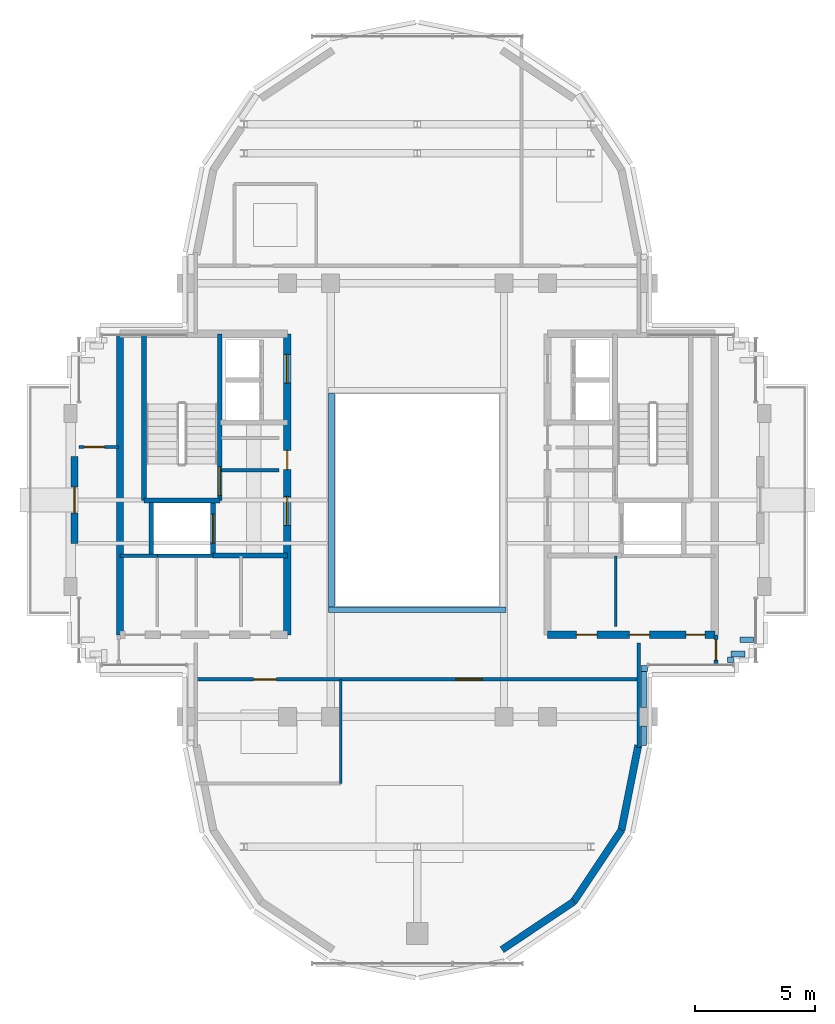
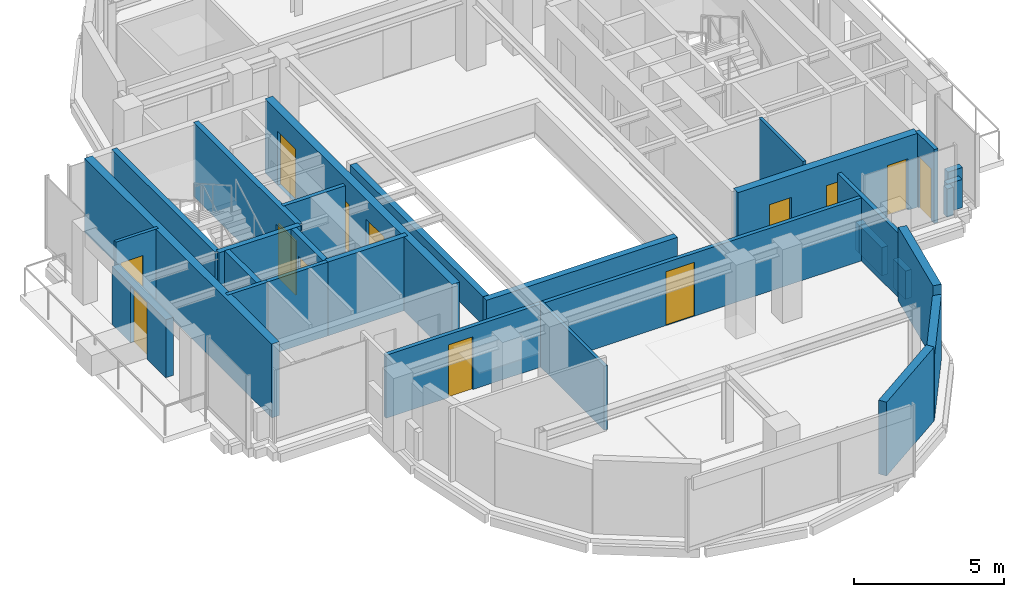
# One storey, part 7 of 12: 30 walls, 13 doors, 13 openings.
"""IFC4 building model written with IfcOpenShell, lengths in metres."""

from ifc_helpers import new_model, si_unit, direction, frame, frame_2d, origin, place, context, subcontext, project, spatial, rectangle, extrude, source, transform, mapped, material, layer, layer_set, type_object, element, fill, save


model = new_model("IFC4")

# Units and contexts
model_context = context("Model", 3, precision=1e-05, world=origin(), true_north=direction((0.0, 1.0)))
body_context = subcontext(model_context, "Body", "Model", "MODEL_VIEW")
ifc_project = project(units=[si_unit("LENGTHUNIT", "METRE"), si_unit("AREAUNIT", "SQUARE_METRE"), si_unit("VOLUMEUNIT", "CUBIC_METRE"), si_unit("PLANEANGLEUNIT", "RADIAN"), si_unit("MASSUNIT", "GRAM", prefix="KILO")], contexts=[model_context])

# Site, building, storey
site_placement = place(None, origin())
site = spatial("IfcSite", under=ifc_project, at=site_placement, CompositionType="ELEMENT")
building_placement = place(site_placement, origin())
building = spatial("IfcBuilding", under=site, at=building_placement, Name="Keilestroom Media Tower", CompositionType="ELEMENT")
storey_placement = place(building_placement, frame((0.0, 0.0, 258.800048828125)))
storey = spatial("IfcBuildingStorey", under=building, at=storey_placement, Name="L72", CompositionType="ELEMENT", Elevation=258.800048828125)

# Walls
ifc_material_1 = material(Name="Precast concrete C40/50", Category="concrete")
ifc_layer_1 = layer(ifc_material_1, 0.300048828125)
ifc_layer_set_1 = layer_set([ifc_layer_1], Name="Precast concrete C40/50")
wall_type_1 = type_object("IfcWallType", Name="Exterior-Masonry-Spandrel-Wall-300", PredefinedType="SOLIDWALL", material=ifc_layer_set_1)
wall_1_placement = place(storey_placement, frame((3.510009765625, -18.673583984375, 0.0), z_axis=(0.0, 0.0, 1.0), x_axis=(0.831443568068, 0.555609208993, 0.0)))
element("IfcWall", 1, at=wall_1_placement, inside=storey, type_object=wall_type_1, Name="L72 Lobe Facet Precast Frame Wall 10", PredefinedType="SOLIDWALL", context=body_context, shape_type="SweptSolid", body=[
    extrude(rectangle(XDim=3.593505859375, YDim=0.300048828125, at=frame_2d((1.796875, 0.0))), origin(), (0.0, 0.0, 1.0), 3.010009765625),
])
wall_2_placement = place(storey_placement, frame((6.47705078125, -16.697998046875, 0.0), z_axis=(0.0, 0.0, 1.0), x_axis=(0.555574187116, 0.831466970246, 0.0)))
element("IfcWall", 2, at=wall_2_placement, inside=storey, type_object=wall_type_1, Name="L72 Lobe Facet Precast Frame Wall 11", PredefinedType="SOLIDWALL", context=body_context, shape_type="SweptSolid", body=[
    extrude(rectangle(XDim=3.608642578125, YDim=0.300048828125, at=frame_2d((1.80419921875, 0.0))), origin(), (0.0, 0.0, 1.0), 2.60986328125),
])
wall_3_placement = place(storey_placement, frame((8.470703125, -13.724609375, 0.0), z_axis=(0.0, 0.0, 1.0), x_axis=(0.195114232679, 0.980780523974, 0.0)))
element("IfcWall", 3, at=wall_3_placement, inside=storey, type_object=wall_type_1, Name="L72 Lobe Facet Precast Frame Wall 12", PredefinedType="SOLIDWALL", context=body_context, shape_type="SweptSolid", body=[
    extrude(rectangle(XDim=3.608642578125, YDim=0.300048828125, at=frame_2d((1.80419921875, 0.0))), origin(), (0.0, 0.0, 1.0), 3.010009765625),
])

# Wall, opening, door
wall_4_placement = place(storey_placement, frame((-14.239990234375, -1.800048828125, 0.0), z_axis=(0.0, 0.0, 1.0), x_axis=(0.0, 1.0, 0.0)))
wall_4 = element("IfcWall", 4, at=wall_4_placement, inside=storey, type_object=wall_type_1, Name="L72 Terrace Threshold Wall CUP72-W", PredefinedType="SOLIDWALL", context=body_context, shape_type="SweptSolid", body=[
    extrude(rectangle(XDim=3.60009765625, YDim=0.300048828125, at=frame_2d((1.800048828125, 0.0))), origin(), (0.0, 0.0, 1.0), 2.35986328125),
])
opening_1_placement = place(wall_4_placement, frame((1.25, 0.0, 0.0)))
opening_1 = element("IfcOpeningElement", 5, at=opening_1_placement, cuts=wall_4, Name="Opening DE-02", PredefinedType="OPENING", context=body_context, shape_type="SweptSolid", body=[
    extrude(rectangle(XDim=1.10009765625, YDim=2.300048828125, at=frame_2d((0.550048828125, 1.14990234375))), frame((0.0, 0.16015625, 0.0), z_axis=(0.0, -1.0, 0.0), x_axis=(1.0, 0.0, 0.0)), (0.0, 0.0, 1.0), 0.320068359375),
])
ifc_material_2 = material(Name="Thermally Broken Aluminium & Laminated Glass", Category="aluminium")
door_type_1 = type_object("IfcDoorType", Name="Exterior-Entrance-And-Terrace-Door-DE-02", OperationType="NOTDEFINED", PredefinedType="DOOR", material=ifc_material_2)
shared_shape_1 = source(origin(), body_context, "Body", "SweptSolid", [
    extrude(rectangle(XDim=1.10009765625, YDim=2.300048828125, at=frame_2d((0.550048828125, 1.14990234375))), frame((0.0, 0.02490234375, 0.0), z_axis=(0.0, -1.0, 0.0), x_axis=(1.0, 0.0, 0.0)), (0.0, 0.0, 1.0), 0.050048828125),
])
door_1_placement = place(opening_1_placement, origin())
door_1 = element("IfcDoor", 6, at=door_1_placement, inside=storey, type_object=door_type_1, Name="L72 Terrace Access Door DE-02 CUP72-W", OperationType="SINGLE_SWING_LEFT", OverallHeight=2.300048828125, OverallWidth=1.10009765625, PredefinedType="DOOR", context=body_context, shape_type="MappedRepresentation", body=[
    mapped(shared_shape_1, transform((0.0, 0.0, 0.0), x_axis=(1.0, 0.0, 0.0), y_axis=(0.0, 1.0, 0.0), z_axis=(0.0, 0.0, 1.0), scale=1.0)),
])
fill(opening_1, door_1)

# Walls
ifc_material_3 = material(Name="Gypsum Plasterboard & Steel Stud", Category="steel")
ifc_layer_2 = layer(ifc_material_3, 0.1201171875)
ifc_layer_set_2 = layer_set([ifc_layer_2], Name="Gypsum Plasterboard & Steel Stud")
wall_type_2 = type_object("IfcWallType", Name="Interior-Partition-Wall-120", PredefinedType="PARTITIONING", material=ifc_layer_set_2)
wall_5_placement = place(storey_placement, frame((8.239990234375, -5.260009765625, 0.0), z_axis=(0.0, 0.0, 1.0), x_axis=(0.0, 1.0, 0.0)))
element("IfcWall", 7, at=wall_5_placement, inside=storey, type_object=wall_type_2, Name="L72 Interior Wall WP-L72-RECME-M", PredefinedType="PARTITIONING", context=body_context, shape_type="SweptSolid", body=[
    extrude(rectangle(XDim=2.93994140625, YDim=0.1201171875, at=frame_2d((1.469970703125, 0.0))), origin(), (0.0, 0.0, 1.0), 3.010009765625),
])
wall_6_placement = place(storey_placement, frame((-3.179931640625, -11.77001953125, 0.0), z_axis=(0.0, 0.0, 1.0), x_axis=(0.0, 1.0, 0.0)))
element("IfcWall", 8, at=wall_6_placement, inside=storey, type_object=wall_type_2, Name="L72 Interior Wall WP-L72-SL-VM", PredefinedType="PARTITIONING", context=body_context, shape_type="SweptSolid", body=[
    extrude(rectangle(XDim=4.320068359375, YDim=0.1201171875, at=frame_2d((2.16015625, 0.0))), origin(), (0.0, 0.0, 1.0), 2.60986328125),
])

# Wall, opening, door
wall_7_placement = place(storey_placement, frame((-14.0400390625, 2.199951171875, 0.0), z_axis=(0.0, 0.0, 1.0), x_axis=(1.0, 0.0, 0.0)))
wall_7 = element("IfcWall", 9, at=wall_7_placement, inside=storey, type_object=wall_type_2, Name="L72 Interior Wall WP-L72-WA-CUPM", PredefinedType="PARTITIONING", context=body_context, shape_type="SweptSolid", body=[
    extrude(rectangle(XDim=1.64013671875, YDim=0.1201171875, at=frame_2d((0.820068359375, 0.0))), origin(), (0.0, 0.0, 1.0), 3.010009765625),
])
opening_2_placement = place(wall_7_placement, frame((0.199951171875, 0.0, 0.0)))
opening_2 = element("IfcOpeningElement", 10, at=opening_2_placement, cuts=wall_7, Name="Opening DI-05", PredefinedType="OPENING", context=body_context, shape_type="SweptSolid", body=[
    extrude(rectangle(XDim=0.85009765625, YDim=2.10009765625, at=frame_2d((0.425048828125, 1.050048828125))), frame((0.0, 0.070068359375, 0.0), z_axis=(0.0, -1.0, 0.0), x_axis=(1.0, 0.0, 0.0)), (0.0, 0.0, 1.0), 0.14013671875),
])
ifc_material_4 = material(Name="Moisture-Resistant Oak Leaf", Category="wood")
door_type_2 = type_object("IfcDoorType", Name="Interior-En-Suite-And-Cupboard-Door-DI-05", OperationType="NOTDEFINED", PredefinedType="DOOR", material=ifc_material_4)
shared_shape_2 = source(origin(), body_context, "Body", "SweptSolid", [
    extrude(rectangle(XDim=0.85009765625, YDim=2.10009765625, at=frame_2d((0.425048828125, 1.050048828125))), frame((0.0, 0.02490234375, 0.0), z_axis=(0.0, -1.0, 0.0), x_axis=(1.0, 0.0, 0.0)), (0.0, 0.0, 1.0), 0.050048828125),
])
door_2_placement = place(opening_2_placement, origin())
door_2 = element("IfcDoor", 11, at=door_2_placement, inside=storey, type_object=door_type_2, Name="L72 Interior Door DI-L72-DWA-CUPN", OperationType="SINGLE_SWING_LEFT", OverallHeight=2.10009765625, OverallWidth=0.85009765625, PredefinedType="DOOR", context=body_context, shape_type="MappedRepresentation", body=[
    mapped(shared_shape_2, transform((0.0, 0.0, 0.0), x_axis=(1.0, 0.0, 0.0), y_axis=(0.0, 1.0, 0.0), z_axis=(0.0, 0.0, 1.0), scale=1.0)),
])
fill(opening_2, door_2)

# Walls
ifc_layer_3 = layer(ifc_material_3, 0.14990234375)
ifc_layer_set_3 = layer_set([ifc_layer_3], Name="Gypsum Plasterboard & Steel Stud")
wall_type_3 = type_object("IfcWallType", Name="Interior-Partition-Wall-150", PredefinedType="PARTITIONING", material=ifc_layer_set_3)
wall_8_placement = place(storey_placement, frame((-8.139892578125, 1.239990234375, 0.0), z_axis=(0.0, 0.0, 1.0), x_axis=(1.0, 0.0, 0.0)))
element("IfcWall", 12, at=wall_8_placement, inside=storey, type_object=wall_type_3, Name="L72 Interior Wall WP-L72-FFW-TOP", PredefinedType="PARTITIONING", context=body_context, shape_type="SweptSolid", body=[
    extrude(rectangle(XDim=2.389892578125, YDim=0.14990234375, at=frame_2d((1.19482421875, 0.0))), origin(), (0.0, 0.0, 1.0), 3.010009765625),
])
wall_9_placement = place(storey_placement, frame((-12.35009765625, -2.320068359375, 0.0), z_axis=(0.0, 0.0, 1.0), x_axis=(1.0, 0.0, 0.0)))
element("IfcWall", 13, at=wall_9_placement, inside=storey, type_object=wall_type_3, Name="L72 Interior Wall WP-L72-RECLW-N", PredefinedType="PARTITIONING", context=body_context, shape_type="SweptSolid", body=[
    extrude(rectangle(XDim=1.550048828125, YDim=0.14990234375, at=frame_2d((0.77490234375, 0.0))), origin(), (0.0, 0.0, 1.0), 3.010009765625),
])
wall_10_placement = place(storey_placement, frame((-10.800048828125, -2.320068359375, 0.0), z_axis=(0.0, 0.0, 1.0), x_axis=(1.0, 0.0, 0.0)))
element("IfcWall", 14, at=wall_10_placement, inside=storey, type_object=wall_type_3, Name="L72 Interior Wall WP-L72-RECMW-N", PredefinedType="PARTITIONING", context=body_context, shape_type="SweptSolid", body=[
    extrude(rectangle(XDim=2.320068359375, YDim=0.14990234375, at=frame_2d((1.16015625, 0.0))), origin(), (0.0, 0.0, 1.0), 3.010009765625),
])

# Wall, openings, doors
wall_11_placement = place(storey_placement, frame((-9.199951171875, -7.449951171875, 0.0), z_axis=(0.0, 0.0, 1.0), x_axis=(1.0, 0.0, 0.0)))
wall_11 = element("IfcWall", 15, at=wall_11_placement, inside=storey, type_object=wall_type_3, Name="L72 Interior Wall WP-L72-SL-BASE", PredefinedType="PARTITIONING", context=body_context, shape_type="SweptSolid", body=[
    extrude(rectangle(XDim=18.39990234375, YDim=0.14990234375, at=frame_2d((9.199951171875, 0.0))), origin(), (0.0, 0.0, 1.0), 2.570068359375),
])
opening_3_placement = place(wall_11_placement, frame((2.39990234375, 0.0, 0.0)))
opening_3 = element("IfcOpeningElement", 16, at=opening_3_placement, cuts=wall_11, Name="Opening DI-03", PredefinedType="OPENING", context=body_context, shape_type="SweptSolid", body=[
    extrude(rectangle(XDim=0.949951171875, YDim=2.14990234375, at=frame_2d((0.47509765625, 1.074951171875))), frame((0.0, 0.0849609375, 0.0), z_axis=(0.0, -1.0, 0.0), x_axis=(1.0, 0.0, 0.0)), (0.0, 0.0, 1.0), 0.169921875),
])
opening_4_placement = place(wall_11_placement, frame((10.800048828125, 0.0, 0.0)))
opening_4 = element("IfcOpeningElement", 17, at=opening_4_placement, cuts=wall_11, Name="Opening DI-04", PredefinedType="OPENING", context=body_context, shape_type="SweptSolid", body=[
    extrude(rectangle(XDim=1.10009765625, YDim=2.199951171875, at=frame_2d((0.550048828125, 1.10009765625))), frame((0.0, 0.0849609375, 0.0), z_axis=(0.0, -1.0, 0.0), x_axis=(1.0, 0.0, 0.0)), (0.0, 0.0, 1.0), 0.169921875),
])
ifc_material_5 = material(Name="Lacquered European Oak Leaf", Category="wood")
door_type_3 = type_object("IfcDoorType", Name="Interior-Room-And-Suite-Door-DI-03", OperationType="NOTDEFINED", PredefinedType="DOOR", material=ifc_material_5)
shared_shape_3 = source(origin(), body_context, "Body", "SweptSolid", [
    extrude(rectangle(XDim=0.949951171875, YDim=2.14990234375, at=frame_2d((0.47509765625, 1.074951171875))), frame((0.0, 0.02490234375, 0.0), z_axis=(0.0, -1.0, 0.0), x_axis=(1.0, 0.0, 0.0)), (0.0, 0.0, 1.0), 0.050048828125),
])
door_3_placement = place(opening_3_placement, origin())
door_3 = element("IfcDoor", 18, at=door_3_placement, inside=storey, type_object=door_type_3, Name="L72 Interior Door DI-L72-DSL-FR", OperationType="SINGLE_SWING_RIGHT", OverallHeight=2.14990234375, OverallWidth=0.949951171875, PredefinedType="DOOR", context=body_context, shape_type="MappedRepresentation", body=[
    mapped(shared_shape_3, transform((0.0, 0.0, 0.0), x_axis=(1.0, 0.0, 0.0), y_axis=(0.0, 1.0, 0.0), z_axis=(0.0, 0.0, 1.0), scale=1.0)),
])
fill(opening_3, door_3)
ifc_material_6 = material(Name="Acoustic Glazed Aluminium Leaf", Category="aluminium")
door_type_4 = type_object("IfcDoorType", Name="Interior-Room-And-Suite-Door-DI-04", OperationType="NOTDEFINED", PredefinedType="DOOR", material=ifc_material_6)
shared_shape_4 = source(origin(), body_context, "Body", "SweptSolid", [
    extrude(rectangle(XDim=1.10009765625, YDim=2.199951171875, at=frame_2d((0.550048828125, 1.10009765625))), frame((0.0, 0.02490234375, 0.0), z_axis=(0.0, -1.0, 0.0), x_axis=(1.0, 0.0, 0.0)), (0.0, 0.0, 1.0), 0.050048828125),
])
door_4_placement = place(opening_4_placement, origin())
door_4 = element("IfcDoor", 19, at=door_4_placement, inside=storey, type_object=door_type_4, Name="L72 Interior Door DI-L72-DSL-RR", OperationType="SINGLE_SWING_LEFT", OverallHeight=2.199951171875, OverallWidth=1.10009765625, PredefinedType="DOOR", context=body_context, shape_type="MappedRepresentation", body=[
    mapped(shared_shape_4, transform((0.0, 0.0, 0.0), x_axis=(1.0, 0.0, 0.0), y_axis=(0.0, 1.0, 0.0), z_axis=(0.0, 0.0, 1.0), scale=1.0)),
])
fill(opening_4, door_4)

# Wall
wall_12_placement = place(storey_placement, frame((9.199951171875, -10.280029296875, 0.0), z_axis=(0.0, 0.0, 1.0), x_axis=(0.0, 1.0, 0.0)))
element("IfcWall", 20, at=wall_12_placement, inside=storey, type_object=wall_type_3, Name="L72 Interior Wall WP-L72-SL-CHKE", PredefinedType="PARTITIONING", context=body_context, shape_type="SweptSolid", body=[
    extrude(rectangle(XDim=4.340087890625, YDim=0.14990234375, at=frame_2d((2.169921875, 0.0))), origin(), (0.0, 0.0, 1.0), 2.60986328125),
])

# Wall, opening, door
wall_13_placement = place(storey_placement, frame((12.39990234375, -6.85009765625, 0.0), z_axis=(0.0, 0.0, 1.0), x_axis=(0.0, 1.0, 0.0)))
wall_13 = element("IfcWall", 21, at=wall_13_placement, inside=storey, type_object=wall_type_3, Name="L72 Interior Wall WP-L72-EA-ENTS", PredefinedType="PARTITIONING", context=body_context, shape_type="SweptSolid", body=[
    extrude(rectangle(XDim=1.25, YDim=0.14990234375, at=frame_2d((0.625, 0.0))), origin(), (0.0, 0.0, 1.0), 3.010009765625),
])
opening_5_placement = place(wall_13_placement, frame((0.199951171875, 0.0, 0.0)))
opening_5 = element("IfcOpeningElement", 22, at=opening_5_placement, cuts=wall_13, Name="Opening DI-05", PredefinedType="OPENING", context=body_context, shape_type="SweptSolid", body=[
    extrude(rectangle(XDim=0.85009765625, YDim=2.10009765625, at=frame_2d((0.425048828125, 1.050048828125))), frame((0.0, 0.0849609375, 0.0), z_axis=(0.0, -1.0, 0.0), x_axis=(1.0, 0.0, 0.0)), (0.0, 0.0, 1.0), 0.169921875),
])
door_5_placement = place(opening_5_placement, origin())
door_5 = element("IfcDoor", 23, at=door_5_placement, inside=storey, type_object=door_type_2, Name="L72 Interior Door DI-L72-DEA-CUP", OperationType="SINGLE_SWING_RIGHT", OverallHeight=2.10009765625, OverallWidth=0.85009765625, PredefinedType="DOOR", context=body_context, shape_type="MappedRepresentation", body=[
    mapped(shared_shape_2, transform((0.0, 0.0, 0.0), x_axis=(1.0, 0.0, 0.0), y_axis=(0.0, 1.0, 0.0), z_axis=(0.0, 0.0, 1.0), scale=1.0)),
])
fill(opening_5, door_5)

# Wall
ifc_material_7 = material(Name="Concrete C50/60", Category="concrete")
ifc_layer_4 = layer(ifc_material_7, 0.300048828125)
ifc_layer_set_4 = layer_set([ifc_layer_4], Name="Concrete C50/60")
wall_type_4 = type_object("IfcWallType", Name="Reinforced-Concrete-Core-Shear-Wall-300", PredefinedType="SHEAR", material=ifc_layer_set_4)
wall_14_placement = place(storey_placement, frame((-12.35009765625, -5.60009765625, 0.0), z_axis=(0.0, 0.0, 1.0), x_axis=(0.0, 1.0, 0.0)))
element("IfcWall", 24, at=wall_14_placement, inside=storey, type_object=wall_type_4, Name="L72 Core Shear Wall WL-L72-CORE-W-OUT", PredefinedType="SHEAR", context=body_context, shape_type="SweptSolid", body=[
    extrude(rectangle(XDim=12.5, YDim=0.300048828125, at=frame_2d((6.25, 0.0))), origin(), (0.0, 0.0, 1.0), 3.010009765625),
])

# Wall, openings, doors
wall_15_placement = place(storey_placement, frame((-5.39990234375, -5.60009765625, 0.0), z_axis=(0.0, 0.0, 1.0), x_axis=(0.0, 1.0, 0.0)))
wall_15 = element("IfcWall", 25, at=wall_15_placement, inside=storey, type_object=wall_type_4, Name="L72 Core Shear Wall WL-L72-CORE-W-IN", PredefinedType="SHEAR", context=body_context, shape_type="SweptSolid", body=[
    extrude(rectangle(XDim=12.5, YDim=0.300048828125, at=frame_2d((6.25, 0.0))), origin(), (0.0, 0.0, 1.0), 3.010009765625),
])
opening_6_placement = place(wall_15_placement, frame((4.550048828125, 0.0, 0.0)))
opening_6 = element("IfcOpeningElement", 26, at=opening_6_placement, cuts=wall_15, Name="Opening DI-02", PredefinedType="OPENING", context=body_context, shape_type="SweptSolid", body=[
    extrude(rectangle(XDim=1.199951171875, YDim=2.199951171875, at=frame_2d((0.60009765625, 1.10009765625))), frame((0.0, 0.16015625, 0.0), z_axis=(0.0, -1.0, 0.0), x_axis=(1.0, 0.0, 0.0)), (0.0, 0.0, 1.0), 0.320068359375),
])
opening_7_placement = place(wall_15_placement, frame((10.449951171875, 0.0, 0.0)))
opening_7 = element("IfcOpeningElement", 27, at=opening_7_placement, cuts=wall_15, Name="Opening DI-02", PredefinedType="OPENING", context=body_context, shape_type="SweptSolid", body=[
    extrude(rectangle(XDim=1.199951171875, YDim=2.199951171875, at=frame_2d((0.60009765625, 1.10009765625))), frame((0.0, 0.16015625, 0.0), z_axis=(0.0, -1.0, 0.0), x_axis=(1.0, 0.0, 0.0)), (0.0, 0.0, 1.0), 0.320068359375),
])
opening_8_placement = place(wall_15_placement, frame((6.860107421875, 0.0, 0.0)))
opening_8 = element("IfcOpeningElement", 28, at=opening_8_placement, cuts=wall_15, Name="Opening DI-06", PredefinedType="OPENING", context=body_context, shape_type="SweptSolid", body=[
    extrude(rectangle(XDim=0.800048828125, YDim=2.10009765625, at=frame_2d((0.39990234375, 1.050048828125))), frame((0.0, 0.16015625, 0.0), z_axis=(0.0, -1.0, 0.0), x_axis=(1.0, 0.0, 0.0)), (0.0, 0.0, 1.0), 0.320068359375),
])
ifc_material_8 = material(Name="Powder-Coated Steel Fire Leaf", Category="steel")
door_type_5 = type_object("IfcDoorType", Name="Interior-Compartment-Fire-Door-DI-02", OperationType="NOTDEFINED", PredefinedType="DOOR", material=ifc_material_8)
shared_shape_5 = source(origin(), body_context, "Body", "SweptSolid", [
    extrude(rectangle(XDim=1.199951171875, YDim=2.199951171875, at=frame_2d((0.60009765625, 1.10009765625))), frame((0.0, 0.02490234375, 0.0), z_axis=(0.0, -1.0, 0.0), x_axis=(1.0, 0.0, 0.0)), (0.0, 0.0, 1.0), 0.050048828125),
])
door_6_placement = place(opening_6_placement, origin())
door_6 = element("IfcDoor", 29, at=door_6_placement, inside=storey, type_object=door_type_5, Name="L72 W Firefighting Lobby Door", OperationType="SINGLE_SWING_RIGHT", OverallHeight=2.199951171875, OverallWidth=1.199951171875, PredefinedType="DOOR", context=body_context, shape_type="MappedRepresentation", body=[
    mapped(shared_shape_5, transform((0.0, 0.0, 0.0), x_axis=(1.0, 0.0, 0.0), y_axis=(0.0, 1.0, 0.0), z_axis=(0.0, 0.0, 1.0), scale=1.0)),
])
fill(opening_6, door_6)
door_7_placement = place(opening_7_placement, origin())
door_7 = element("IfcDoor", 30, at=door_7_placement, inside=storey, type_object=door_type_5, Name="L72 W High-Rise Lift Lobby Door", OperationType="SINGLE_SWING_LEFT", OverallHeight=2.199951171875, OverallWidth=1.199951171875, PredefinedType="DOOR", context=body_context, shape_type="MappedRepresentation", body=[
    mapped(shared_shape_5, transform((0.0, 0.0, 0.0), x_axis=(1.0, 0.0, 0.0), y_axis=(0.0, 1.0, 0.0), z_axis=(0.0, 0.0, 1.0), scale=1.0)),
])
fill(opening_7, door_7)
ifc_material_9 = material(Name="Powder-Coated Steel Service Leaf", Category="steel")
door_type_6 = type_object("IfcDoorType", Name="Interior-Riser-Access-Door-DI-06", OperationType="NOTDEFINED", PredefinedType="DOOR", material=ifc_material_9)
shared_shape_6 = source(origin(), body_context, "Body", "SweptSolid", [
    extrude(rectangle(XDim=0.800048828125, YDim=2.10009765625, at=frame_2d((0.39990234375, 1.050048828125))), frame((0.0, 0.02490234375, 0.0), z_axis=(0.0, -1.0, 0.0), x_axis=(1.0, 0.0, 0.0)), (0.0, 0.0, 1.0), 0.050048828125),
])
door_8_placement = place(opening_8_placement, origin())
door_8 = element("IfcDoor", 31, at=door_8_placement, inside=storey, type_object=door_type_6, Name="L72 West Core Switchroom Door", OperationType="SINGLE_SWING_LEFT", OverallHeight=2.10009765625, OverallWidth=0.800048828125, PredefinedType="DOOR", context=body_context, shape_type="MappedRepresentation", body=[
    mapped(shared_shape_6, transform((0.0, 0.0, 0.0), x_axis=(1.0, 0.0, 0.0), y_axis=(0.0, 1.0, 0.0), z_axis=(0.0, 0.0, 1.0), scale=1.0)),
])
fill(opening_8, door_8)

wall_16_placement = place(storey_placement, frame((5.39990234375, -5.60009765625, 0.0), z_axis=(0.0, 0.0, 1.0), x_axis=(1.0, 0.0, 0.0)))
wall_16 = element("IfcWall", 32, at=wall_16_placement, inside=storey, type_object=wall_type_4, Name="L72 Core Shear Wall WL-L72-CORE-E-S", PredefinedType="SHEAR", context=body_context, shape_type="SweptSolid", body=[
    extrude(rectangle(XDim=6.9501953125, YDim=0.300048828125, at=frame_2d((3.47509765625, 0.0))), origin(), (0.0, 0.0, 1.0), 3.010009765625),
])
opening_9_placement = place(wall_16_placement, frame((5.75, 0.0, 0.0)))
opening_9 = element("IfcOpeningElement", 33, at=opening_9_placement, cuts=wall_16, Name="Opening DI-06", PredefinedType="OPENING", context=body_context, shape_type="SweptSolid", body=[
    extrude(rectangle(XDim=0.800048828125, YDim=2.10009765625, at=frame_2d((0.39990234375, 1.050048828125))), frame((0.0, 0.16015625, 0.0), z_axis=(0.0, -1.0, 0.0), x_axis=(1.0, 0.0, 0.0)), (0.0, 0.0, 1.0), 0.320068359375),
])
opening_10_placement = place(wall_16_placement, frame((1.199951171875, 0.0, 0.0)))
opening_10 = element("IfcOpeningElement", 34, at=opening_10_placement, cuts=wall_16, Name="Opening DI-05", PredefinedType="OPENING", context=body_context, shape_type="SweptSolid", body=[
    extrude(rectangle(XDim=0.85009765625, YDim=2.10009765625, at=frame_2d((0.425048828125, 1.050048828125))), frame((0.0, 0.16015625, 0.0), z_axis=(0.0, -1.0, 0.0), x_axis=(1.0, 0.0, 0.0)), (0.0, 0.0, 1.0), 0.320068359375),
])
opening_11_placement = place(wall_16_placement, frame((3.39990234375, 0.0, 0.0)))
opening_11 = element("IfcOpeningElement", 35, at=opening_11_placement, cuts=wall_16, Name="Opening DI-05", PredefinedType="OPENING", context=body_context, shape_type="SweptSolid", body=[
    extrude(rectangle(XDim=0.85009765625, YDim=2.10009765625, at=frame_2d((0.425048828125, 1.050048828125))), frame((0.0, 0.16015625, 0.0), z_axis=(0.0, -1.0, 0.0), x_axis=(1.0, 0.0, 0.0)), (0.0, 0.0, 1.0), 0.320068359375),
])
door_9_placement = place(opening_9_placement, origin())
door_9 = element("IfcDoor", 36, at=door_9_placement, inside=storey, type_object=door_type_6, Name="L72 Reclaimed East Core Room Door", OperationType="SINGLE_SWING_RIGHT", OverallHeight=2.10009765625, OverallWidth=0.800048828125, PredefinedType="DOOR", context=body_context, shape_type="MappedRepresentation", body=[
    mapped(shared_shape_6, transform((0.0, 0.0, 0.0), x_axis=(1.0, 0.0, 0.0), y_axis=(0.0, 1.0, 0.0), z_axis=(0.0, 0.0, 1.0), scale=1.0)),
])
fill(opening_9, door_9)
door_10_placement = place(opening_10_placement, origin())
door_10 = element("IfcDoor", 37, at=door_10_placement, inside=storey, type_object=door_type_2, Name="L72 Reclaimed Mid East Room 1 Door", OperationType="SINGLE_SWING_RIGHT", OverallHeight=2.10009765625, OverallWidth=0.85009765625, PredefinedType="DOOR", context=body_context, shape_type="MappedRepresentation", body=[
    mapped(shared_shape_2, transform((0.0, 0.0, 0.0), x_axis=(1.0, 0.0, 0.0), y_axis=(0.0, 1.0, 0.0), z_axis=(0.0, 0.0, 1.0), scale=1.0)),
])
fill(opening_10, door_10)
door_11_placement = place(opening_11_placement, origin())
door_11 = element("IfcDoor", 38, at=door_11_placement, inside=storey, type_object=door_type_2, Name="L72 Reclaimed Mid East Room 2 Door", OperationType="SINGLE_SWING_RIGHT", OverallHeight=2.10009765625, OverallWidth=0.85009765625, PredefinedType="DOOR", context=body_context, shape_type="MappedRepresentation", body=[
    mapped(shared_shape_2, transform((0.0, 0.0, 0.0), x_axis=(1.0, 0.0, 0.0), y_axis=(0.0, 1.0, 0.0), z_axis=(0.0, 0.0, 1.0), scale=1.0)),
])
fill(opening_11, door_11)

# Wall
ifc_layer_5 = layer(ifc_material_7, 0.199951171875)
ifc_layer_set_5 = layer_set([ifc_layer_5], Name="Concrete C50/60")
wall_type_5 = type_object("IfcWallType", Name="Reinforced-Concrete-Shaft-Wall-200", PredefinedType="SOLIDWALL", material=ifc_layer_set_5)
wall_17_placement = place(storey_placement, frame((-8.47998046875, -2.300048828125, 0.0), z_axis=(0.0, 0.0, 1.0), x_axis=(1.0, 0.0, 0.0)))
element("IfcWall", 39, at=wall_17_placement, inside=storey, type_object=wall_type_5, Name="L72 Core Shear Wall WL-L72-CORE-W-FFS", PredefinedType="SOLIDWALL", context=body_context, shape_type="SweptSolid", body=[
    extrude(rectangle(XDim=3.080078125, YDim=0.199951171875, at=frame_2d((1.5400390625, 0.0))), origin(), (0.0, 0.0, 1.0), 3.010009765625),
])

# Wall, opening, door
wall_18_placement = place(storey_placement, frame((-8.2041015625, -0.01611328125, 0.0), z_axis=(0.0, 0.0, 1.0), x_axis=(0.0, 1.0, 0.0)))
wall_18 = element("IfcWall", 40, at=wall_18_placement, inside=storey, type_object=wall_type_5, Name="L72 Core Shear Wall WL-L72-STW-W-NEAR", PredefinedType="SOLIDWALL", context=body_context, shape_type="SweptSolid", body=[
    extrude(rectangle(XDim=6.916015625, YDim=0.199951171875, at=frame_2d((3.4580078125, 0.0))), origin(), (0.0, 0.0, 1.0), 3.010009765625),
])
opening_12_placement = place(wall_18_placement, frame((0.199951171875, 0.0, 0.0)))
opening_12 = element("IfcOpeningElement", 41, at=opening_12_placement, cuts=wall_18, Name="Opening DI-01S", PredefinedType="OPENING", context=body_context, shape_type="SweptSolid", body=[
    extrude(rectangle(XDim=1.199951171875, YDim=2.199951171875, at=frame_2d((0.60009765625, 1.10009765625))), frame((0.0, 0.10986328125, 0.0), z_axis=(0.0, -1.0, 0.0), x_axis=(1.0, 0.0, 0.0)), (0.0, 0.0, 1.0), 0.219970703125),
])
door_type_7 = type_object("IfcDoorType", Name="Interior-Stair-And-Core-Fire-Door-DI-01", OperationType="NOTDEFINED", PredefinedType="DOOR", material=ifc_material_8)
door_12_placement = place(opening_12_placement, origin())
door_12 = element("IfcDoor", 42, at=door_12_placement, inside=storey, type_object=door_type_7, Name="L72 Escape Stair ST-1 Fire Door", OperationType="SINGLE_SWING_LEFT", OverallHeight=2.199951171875, OverallWidth=1.199951171875, PredefinedType="DOOR", context=body_context, shape_type="MappedRepresentation", body=[
    mapped(shared_shape_5, transform((0.0, 0.0, 0.0), x_axis=(1.0, 0.0, 0.0), y_axis=(0.0, 1.0, 0.0), z_axis=(0.0, 0.0, 1.0), scale=1.0)),
])
fill(opening_12, door_12)

# Walls
wall_19_placement = place(storey_placement, frame((-11.35595703125, -0.01611328125, 0.0), z_axis=(0.0, 0.0, 1.0), x_axis=(0.0, 1.0, 0.0)))
element("IfcWall", 43, at=wall_19_placement, inside=storey, type_object=wall_type_5, Name="L72 Core Shear Wall WL-L72-STW-W-FAR", PredefinedType="SOLIDWALL", context=body_context, shape_type="SweptSolid", body=[
    extrude(rectangle(XDim=6.916015625, YDim=0.199951171875, at=frame_2d((3.4580078125, 0.0))), origin(), (0.0, 0.0, 1.0), 3.010009765625),
])
wall_20_placement = place(storey_placement, frame((-11.35595703125, -0.01611328125, 0.0), z_axis=(0.0, 0.0, 1.0), x_axis=(1.0, 0.0, 0.0)))
element("IfcWall", 44, at=wall_20_placement, inside=storey, type_object=wall_type_5, Name="L72 Core Shear Wall WL-L72-STW-W-S", PredefinedType="SOLIDWALL", context=body_context, shape_type="SweptSolid", body=[
    extrude(rectangle(XDim=3.15185546875, YDim=0.199951171875, at=frame_2d((1.575927734375, 0.0))), origin(), (0.0, 0.0, 1.0), 3.010009765625),
])
wall_21_placement = place(storey_placement, frame((-11.050048828125, -2.280029296875, 0.0), z_axis=(0.0, 0.0, 1.0), x_axis=(0.0, 1.0, 0.0)))
element("IfcWall", 45, at=wall_21_placement, inside=storey, type_object=wall_type_5, Name="L72 Core Shear Wall WL-L72-LSH-FFL-1-W", PredefinedType="SOLIDWALL", context=body_context, shape_type="SweptSolid", body=[
    extrude(rectangle(XDim=2.179931640625, YDim=0.199951171875, at=frame_2d((1.08984375, 0.0))), origin(), (0.0, 0.0, 1.0), 3.010009765625),
])

# Wall, opening, door
wall_22_placement = place(storey_placement, frame((-8.47998046875, -2.280029296875, 0.0), z_axis=(0.0, 0.0, 1.0), x_axis=(0.0, 1.0, 0.0)))
wall_22 = element("IfcWall", 46, at=wall_22_placement, inside=storey, type_object=wall_type_5, Name="L72 Core Shear Wall WL-L72-LSH-FFL-1-E", PredefinedType="SOLIDWALL", context=body_context, shape_type="SweptSolid", body=[
    extrude(rectangle(XDim=2.179931640625, YDim=0.199951171875, at=frame_2d((1.08984375, 0.0))), origin(), (0.0, 0.0, 1.0), 3.010009765625),
])
opening_13_placement = place(wall_22_placement, frame((0.489990234375, 0.0, 0.0)))
opening_13 = element("IfcOpeningElement", 47, at=opening_13_placement, cuts=wall_22, Name="Opening LD-02", PredefinedType="OPENING", context=body_context, shape_type="SweptSolid", body=[
    extrude(rectangle(XDim=1.199951171875, YDim=2.199951171875, at=frame_2d((0.60009765625, 1.10009765625))), frame((0.0, 0.10986328125, 0.0), z_axis=(0.0, -1.0, 0.0), x_axis=(1.0, 0.0, 0.0)), (0.0, 0.0, 1.0), 0.219970703125),
])
ifc_material_10 = material(Name="Brushed Stainless Steel Sliding Leaf", Category="steel")
door_type_8 = type_object("IfcDoorType", Name="Lift-Landing-Sliding-Door-LD-02", OperationType="SLIDING_TO_RIGHT", PredefinedType="DOOR", material=ifc_material_10)
door_13_placement = place(opening_13_placement, origin())
door_13 = element("IfcDoor", 48, at=door_13_placement, inside=storey, type_object=door_type_8, Name="L72 Lift FFL-1 Landing Sliding Door", OperationType="SLIDING_TO_RIGHT", OverallHeight=2.199951171875, OverallWidth=1.199951171875, PredefinedType="DOOR", context=body_context, shape_type="MappedRepresentation", body=[
    mapped(shared_shape_5, transform((0.0, 0.0, 0.0), x_axis=(1.0, 0.0, 0.0), y_axis=(0.0, 1.0, 0.0), z_axis=(0.0, 0.0, 1.0), scale=1.0)),
])
fill(opening_13, door_13)

# Walls
ifc_layer_6 = layer(ifc_material_1, 0.239990234375)
ifc_layer_set_6 = layer_set([ifc_layer_6], Name="Precast concrete C40/50")
wall_type_6 = type_object("IfcWallType", Name="Roof-And-Terrace-Parapet-Wall-240", PredefinedType="PARAPET", material=ifc_layer_set_6)
wall_23_placement = place(storey_placement, frame((13.95703125, -5.800048828125, 0.0), z_axis=(0.0, 0.0, 1.0), x_axis=(-1.0, 0.0, 0.0)))
element("IfcWall", 49, at=wall_23_placement, inside=storey, type_object=wall_type_6, Name="L72 Perimeter Edge Parapet Wall 01", PredefinedType="PARAPET", context=body_context, shape_type="SweptSolid", body=[
    extrude(rectangle(XDim=0.55712890625, YDim=0.239990234375, at=frame_2d((0.278564453125, 0.0))), origin(), (0.0, 0.0, 1.0), 1.14990234375),
])
wall_24_placement = place(storey_placement, frame((13.60009765625, -6.39990234375, 0.0), z_axis=(0.0, 0.0, 1.0), x_axis=(-1.0, 0.0, 0.0)))
element("IfcWall", 50, at=wall_24_placement, inside=storey, type_object=wall_type_6, Name="L72 Perimeter Edge Parapet Wall 02", PredefinedType="PARAPET", context=body_context, shape_type="SweptSolid", body=[
    extrude(rectangle(XDim=0.576416015625, YDim=0.239990234375, at=frame_2d((0.2880859375, 0.0))), origin(), (0.0, 0.0, 1.0), 1.14990234375),
])
wall_25_placement = place(storey_placement, frame((13.0, -6.52294921875, 0.0), z_axis=(0.0, 0.0, 1.0), x_axis=(0.0, -1.0, 0.0)))
element("IfcWall", 51, at=wall_25_placement, inside=storey, type_object=wall_type_6, Name="L72 Perimeter Edge Parapet Wall 03", PredefinedType="PARAPET", context=body_context, shape_type="SweptSolid", body=[
    extrude(rectangle(XDim=0.234130859375, YDim=0.239990234375, at=frame_2d((0.1171875, 0.0))), origin(), (0.0, 0.0, 1.0), 1.14990234375),
])
wall_26_placement = place(storey_placement, frame((9.547119140625, -7.0, 0.0), z_axis=(0.0, 0.0, 1.0), x_axis=(-1.0, 0.0, 0.0)))
element("IfcWall", 52, at=wall_26_placement, inside=storey, type_object=wall_type_6, Name="L72 Perimeter Edge Parapet Wall 04", PredefinedType="PARAPET", context=body_context, shape_type="SweptSolid", body=[
    extrude(rectangle(XDim=0.26904296875, YDim=0.239990234375, at=frame_2d((0.134521484375, 0.0))), origin(), (0.0, 0.0, 1.0), 1.14990234375),
])
wall_27_placement = place(storey_placement, frame((9.39990234375, -7.123046875, 0.0), z_axis=(0.0, 0.0, 1.0), x_axis=(0.0, -1.0, 0.0)))
element("IfcWall", 53, at=wall_27_placement, inside=storey, type_object=wall_type_6, Name="L72 Perimeter Edge Parapet Wall 05", PredefinedType="PARAPET", context=body_context, shape_type="SweptSolid", body=[
    extrude(rectangle(XDim=1.4990234375, YDim=0.239990234375, at=frame_2d((0.74951171875, 0.0))), origin(), (0.0, 0.0, 1.0), 1.14990234375),
])
wall_28_placement = place(storey_placement, frame((9.39990234375, -9.3779296875, 0.0), z_axis=(0.0, 0.0, 1.0), x_axis=(0.0, -1.0, 0.0)))
element("IfcWall", 54, at=wall_28_placement, inside=storey, type_object=wall_type_6, Name="L72 Perimeter Edge Parapet Wall 06", PredefinedType="PARAPET", context=body_context, shape_type="SweptSolid", body=[
    extrude(rectangle(XDim=0.824951171875, YDim=0.239990234375, at=frame_2d((0.41259765625, 0.0))), origin(), (0.0, 0.0, 1.0), 1.14990234375),
])
wall_29_placement = place(storey_placement, frame((-3.679931640625, -4.56005859375, 0.0), z_axis=(0.0, 0.0, 1.0), x_axis=(1.0, 0.0, 0.0)))
element("IfcWall", 55, at=wall_29_placement, inside=storey, type_object=wall_type_6, Name="L72 Central Atrium Guard Parapet S", PredefinedType="PARAPET", context=body_context, shape_type="SweptSolid", body=[
    extrude(rectangle(XDim=7.35986328125, YDim=0.239990234375, at=frame_2d((3.679931640625, 0.0))), origin(), (0.0, 0.0, 1.0), 1.14990234375),
])
wall_30_placement = place(storey_placement, frame((-3.56005859375, -4.43505859375, 0.0), z_axis=(0.0, 0.0, 1.0), x_axis=(0.0, 1.0, 0.0)))
element("IfcWall", 56, at=wall_30_placement, inside=storey, type_object=wall_type_6, Name="L72 Central Atrium Guard Parapet W", PredefinedType="PARAPET", context=body_context, shape_type="SweptSolid", body=[
    extrude(rectangle(XDim=8.8701171875, YDim=0.239990234375, at=frame_2d((4.43505859375, 0.0))), origin(), (0.0, 0.0, 1.0), 1.14990234375),
])

save(model, "model.ifc")
